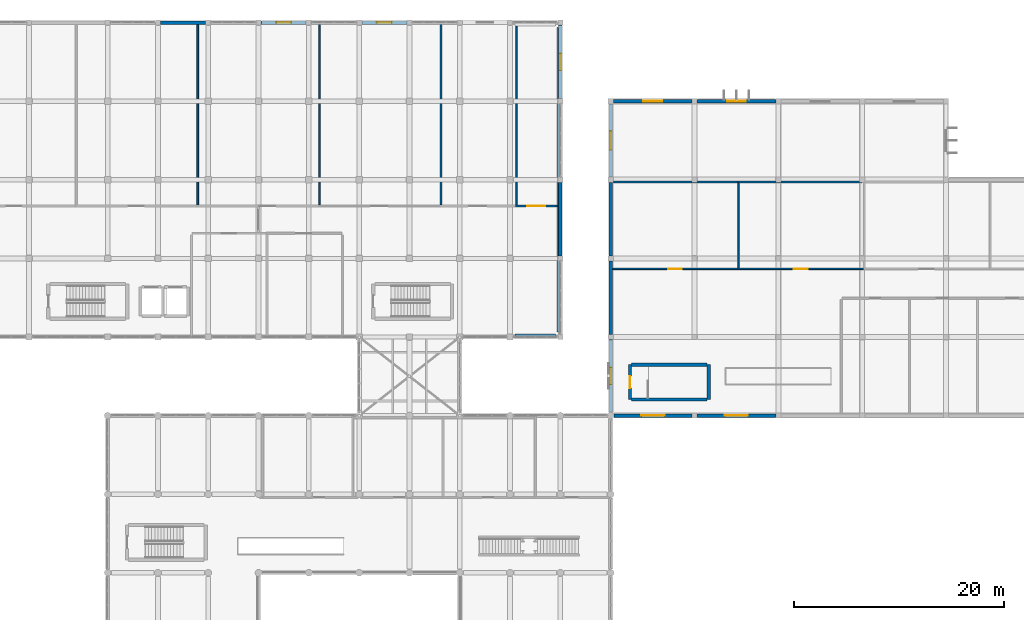
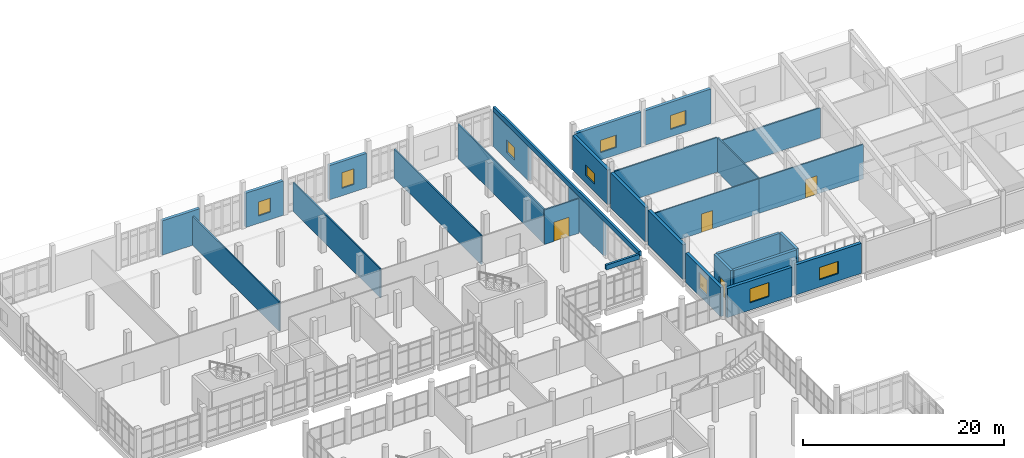
# One storey, part 146 of 164: 29 walls, 9 windows, 4 doors, 13 openings.
"""IFC4 building model written with IfcOpenShell, lengths in metres."""

from ifc_helpers import new_model, si_unit, direction, frame, frame_2d, origin, place, context, subcontext, project, spatial, rectangle, extrude, material, layer, layer_set, type_object, element, fill, save


model = new_model("IFC4")

# Units and contexts
model_context = context("Model", 3, precision=1e-05, world=origin(), true_north=direction((0.0, 1.0)))
body_context = subcontext(model_context, "Body", "Model", "MODEL_VIEW")
ifc_project = project(units=[si_unit("LENGTHUNIT", "METRE"), si_unit("AREAUNIT", "SQUARE_METRE"), si_unit("VOLUMEUNIT", "CUBIC_METRE"), si_unit("PLANEANGLEUNIT", "RADIAN"), si_unit("MASSUNIT", "GRAM", prefix="KILO")], contexts=[model_context])

# Site, building, storey
site_placement = place(None, origin())
site = spatial("IfcSite", under=ifc_project, at=site_placement, CompositionType="ELEMENT")
building_placement = place(site_placement, origin())
building = spatial("IfcBuilding", under=site, at=building_placement, Name="Mawjan Specialist Oncology Clinic", CompositionType="ELEMENT")
storey_placement = place(building_placement, frame((0.0, 0.0, 5.0)))
storey = spatial("IfcBuildingStorey", under=building, at=storey_placement, Name="L01", CompositionType="ELEMENT", Elevation=5.0)

# Wall
ifc_material_1 = material(Name="Precast concrete C40/50", Category="concrete")
ifc_layer_1 = layer(ifc_material_1, 0.35009765625, Name="Precast concrete C40/50", Category="concrete")
ifc_layer_set_1 = layer_set([ifc_layer_1], Name="Precast concrete C40/50")
wall_type_1 = type_object("IfcWallType", Name="EW-350", PredefinedType="SOLIDWALL", material=ifc_layer_set_1)
wall_1_placement = place(storey_placement, frame((65.050048828125, 113.300048828125, 0.0), z_axis=(0.0, 0.0, 1.0), x_axis=(1.0, 0.0, 0.0)))
element("IfcWall", 1, at=wall_1_placement, inside=storey, type_object=wall_type_1, Name="L01 Coral-Limestone Exterior Wall EW-L01-085", PredefinedType="SOLIDWALL", context=body_context, shape_type="SweptSolid", body=[
    extrude(rectangle(XDim=4.300048828125, YDim=0.35009765625, at=frame_2d((2.14990234375, 0.0))), origin(), (0.0, 0.0, 1.0), 4.169921875),
])

# Wall, opening, window
wall_2_placement = place(storey_placement, frame((74.64990234375, 113.300048828125, 0.0), z_axis=(0.0, 0.0, 1.0), x_axis=(1.0, 0.0, 0.0)))
wall_2 = element("IfcWall", 2, at=wall_2_placement, inside=storey, type_object=wall_type_1, Name="L01 Coral-Limestone Exterior Wall EW-L01-086", PredefinedType="SOLIDWALL", context=body_context, shape_type="SweptSolid", body=[
    extrude(rectangle(XDim=4.300048828125, YDim=0.35009765625, at=frame_2d((2.14990234375, 0.0))), origin(), (0.0, 0.0, 1.0), 4.169921875),
])
opening_1_placement = place(wall_2_placement, frame((1.449951171875, 0.0, 0.89990234375)))
opening_1 = element("IfcOpeningElement", 3, at=opening_1_placement, cuts=wall_2, Name="Opening WN-15", PredefinedType="OPENING", context=body_context, shape_type="SweptSolid", body=[
    extrude(rectangle(XDim=1.39990234375, YDim=1.699951171875, at=frame_2d((0.699951171875, 0.85009765625))), frame((0.0, 0.18701171875, 0.0), z_axis=(0.0, -1.0, 0.0), x_axis=(1.0, 0.0, 0.0)), (0.0, 0.0, 1.0), 0.3740234375),
])
ifc_material_2 = material(Name="Thermally broken low-E clinical aluminium window", Category="aluminium")
window_type_1 = type_object("IfcWindowType", Name="WN-15", PartitioningType="SINGLE_PANEL", PredefinedType="WINDOW", material=ifc_material_2)
window_1_placement = place(opening_1_placement, origin())
window_1 = element("IfcWindow", 4, at=window_1_placement, inside=storey, type_object=window_type_1, Name="L01 Clinical Low-E Window 015", OverallHeight=1.699951171875, OverallWidth=1.39990234375, PartitioningType="SINGLE_PANEL", PredefinedType="WINDOW", context=body_context, shape_type="SweptSolid", body=[
    extrude(rectangle(XDim=1.39990234375, YDim=1.699951171875, at=frame_2d((0.699951171875, 0.85009765625))), frame((0.0, 0.030029296875, 0.0), z_axis=(0.0, -1.0, 0.0), x_axis=(1.0, 0.0, 0.0)), (0.0, 0.0, 1.0), 0.06005859375),
])
fill(opening_1, window_1)

wall_3_placement = place(storey_placement, frame((84.25, 113.300048828125, 0.0), z_axis=(0.0, 0.0, 1.0), x_axis=(1.0, 0.0, 0.0)))
wall_3 = element("IfcWall", 5, at=wall_3_placement, inside=storey, type_object=wall_type_1, Name="L01 Coral-Limestone Exterior Wall EW-L01-087", PredefinedType="SOLIDWALL", context=body_context, shape_type="SweptSolid", body=[
    extrude(rectangle(XDim=4.300048828125, YDim=0.35009765625, at=frame_2d((2.14990234375, 0.0))), origin(), (0.0, 0.0, 1.0), 4.169921875),
])
opening_2_placement = place(wall_3_placement, frame((1.449951171875, 0.0, 0.89990234375)))
opening_2 = element("IfcOpeningElement", 6, at=opening_2_placement, cuts=wall_3, Name="Opening WN-16", PredefinedType="OPENING", context=body_context, shape_type="SweptSolid", body=[
    extrude(rectangle(XDim=1.39990234375, YDim=1.89990234375, at=frame_2d((0.699951171875, 0.949951171875))), frame((0.0, 0.18701171875, 0.0), z_axis=(0.0, -1.0, 0.0), x_axis=(1.0, 0.0, 0.0)), (0.0, 0.0, 1.0), 0.3740234375),
])
ifc_material_3 = material(Name="Thermally broken low-E clinical aluminium window", Category="aluminium")
window_type_2 = type_object("IfcWindowType", Name="WN-16", PartitioningType="SINGLE_PANEL", PredefinedType="WINDOW", material=ifc_material_3)
window_2_placement = place(opening_2_placement, origin())
window_2 = element("IfcWindow", 7, at=window_2_placement, inside=storey, type_object=window_type_2, Name="L01 Clinical Low-E Window 016", OverallHeight=1.89990234375, OverallWidth=1.39990234375, PartitioningType="SINGLE_PANEL", PredefinedType="WINDOW", context=body_context, shape_type="SweptSolid", body=[
    extrude(rectangle(XDim=1.39990234375, YDim=1.89990234375, at=frame_2d((0.699951171875, 0.949951171875))), frame((0.0, 0.030029296875, 0.0), z_axis=(0.0, -1.0, 0.0), x_axis=(1.0, 0.0, 0.0)), (0.0, 0.0, 1.0), 0.06005859375),
])
fill(opening_2, window_2)

wall_4_placement = place(storey_placement, frame((103.199951171875, 113.050048828125, 0.0), z_axis=(0.0, 0.0, 1.0), x_axis=(0.0, -1.0, 0.0)))
wall_4 = element("IfcWall", 8, at=wall_4_placement, inside=storey, type_object=wall_type_1, Name="L01 Coral-Limestone Exterior Wall EW-L01-089", PredefinedType="SOLIDWALL", context=body_context, shape_type="SweptSolid", body=[
    extrude(rectangle(XDim=7.0, YDim=0.35009765625, at=frame_2d((3.5, 0.0))), origin(), (0.0, 0.0, 1.0), 4.199951171875),
])
opening_3_placement = place(wall_4_placement, frame((2.699951171875, 0.0, 0.89990234375)))
opening_3 = element("IfcOpeningElement", 9, at=opening_3_placement, cuts=wall_4, Name="Opening WN-18", PredefinedType="OPENING", context=body_context, shape_type="SweptSolid", body=[
    extrude(rectangle(XDim=1.60009765625, YDim=1.5, at=frame_2d((0.800048828125, 0.75))), frame((0.0, 0.18701171875, 0.0), z_axis=(0.0, -1.0, 0.0), x_axis=(1.0, 0.0, 0.0)), (0.0, 0.0, 1.0), 0.3740234375),
])
ifc_material_4 = material(Name="Thermally broken low-E clinical aluminium window", Category="aluminium")
window_type_3 = type_object("IfcWindowType", Name="WN-18", PartitioningType="DOUBLE_PANEL_VERTICAL", PredefinedType="WINDOW", material=ifc_material_4)
window_3_placement = place(opening_3_placement, origin())
window_3 = element("IfcWindow", 10, at=window_3_placement, inside=storey, type_object=window_type_3, Name="L01 Clinical Low-E Window 018", OverallHeight=1.5, OverallWidth=1.60009765625, PartitioningType="DOUBLE_PANEL_VERTICAL", PredefinedType="WINDOW", context=body_context, shape_type="SweptSolid", body=[
    extrude(rectangle(XDim=1.60009765625, YDim=1.5, at=frame_2d((0.800048828125, 0.75))), frame((0.0, 0.030029296875, 0.0), z_axis=(0.0, -1.0, 0.0), x_axis=(1.0, 0.0, 0.0)), (0.0, 0.0, 1.0), 0.06005859375),
])
fill(opening_3, window_3)

# Wall
wall_5_placement = place(storey_placement, frame((103.199951171875, 98.050048828125, 0.0), z_axis=(0.0, 0.0, 1.0), x_axis=(0.0, -1.0, 0.0)))
element("IfcWall", 11, at=wall_5_placement, inside=storey, type_object=wall_type_1, Name="L01 Coral-Limestone Exterior Wall EW-L01-090", PredefinedType="SOLIDWALL", context=body_context, shape_type="SweptSolid", body=[
    extrude(rectangle(XDim=7.0, YDim=0.35009765625, at=frame_2d((3.5, 0.0))), origin(), (0.0, 0.0, 1.0), 4.199951171875),
])

# Wall, opening, window
wall_6_placement = place(storey_placement, frame((108.0, 76.125, 0.0), z_axis=(0.0, 0.0, 1.0), x_axis=(0.0, 1.0, 0.0)))
wall_6 = element("IfcWall", 12, at=wall_6_placement, inside=storey, type_object=wall_type_1, Name="L01 Coral-Limestone Exterior Wall EW-L01-130", PredefinedType="SOLIDWALL", context=body_context, shape_type="SweptSolid", body=[
    extrude(rectangle(XDim=6.925048828125, YDim=0.35009765625, at=frame_2d((3.46240234375, 0.0))), origin(), (0.0, 0.0, 1.0), 3.534912109375),
])
opening_4_placement = place(wall_6_placement, frame((2.66259765625, 0.0, 0.89990234375)))
opening_4 = element("IfcOpeningElement", 13, at=opening_4_placement, cuts=wall_6, Name="Opening WN-20", PredefinedType="OPENING", context=body_context, shape_type="SweptSolid", body=[
    extrude(rectangle(XDim=1.60009765625, YDim=1.89990234375, at=frame_2d((0.800048828125, 0.949951171875))), frame((0.0, 0.18701171875, 0.0), z_axis=(0.0, -1.0, 0.0), x_axis=(1.0, 0.0, 0.0)), (0.0, 0.0, 1.0), 0.3740234375),
])
ifc_material_5 = material(Name="Thermally broken low-E clinical aluminium window", Category="aluminium")
window_type_4 = type_object("IfcWindowType", Name="WN-20", PartitioningType="DOUBLE_PANEL_VERTICAL", PredefinedType="WINDOW", material=ifc_material_5)
window_4_placement = place(opening_4_placement, origin())
window_4 = element("IfcWindow", 14, at=window_4_placement, inside=storey, type_object=window_type_4, Name="L01 Clinical Low-E Window 020", OverallHeight=1.89990234375, OverallWidth=1.60009765625, PartitioningType="DOUBLE_PANEL_VERTICAL", PredefinedType="WINDOW", context=body_context, shape_type="SweptSolid", body=[
    extrude(rectangle(XDim=1.60009765625, YDim=1.89990234375, at=frame_2d((0.800048828125, 0.949951171875))), frame((0.0, 0.030029296875, 0.0), z_axis=(0.0, -1.0, 0.0), x_axis=(1.0, 0.0, 0.0)), (0.0, 0.0, 1.0), 0.06005859375),
])
fill(opening_4, window_4)

# Walls
for number, where, z_axis, x_axis, name in (
    (15, (108.0, 83.550048828125, 0.0), (0.0, 0.0, 1.0), (0.0, 1.0, 0.0), "L01 Coral-Limestone Exterior Wall EW-L01-131"),
    (16, (108.0, 91.050048828125, 0.0), (0.0, 0.0, 1.0), (0.0, 1.0, 0.0), "L01 Coral-Limestone Exterior Wall EW-L01-132"),
):
    element("IfcWall", number, at=place(storey_placement, frame(where, z_axis=z_axis, x_axis=x_axis)), inside=storey, type_object=wall_type_1, Name=name, PredefinedType="SOLIDWALL", context=body_context, shape_type="SweptSolid", body=[
        extrude(rectangle(XDim=7.0, YDim=0.35009765625, at=frame_2d((3.5, 0.0))), origin(), (0.0, 0.0, 1.0), 4.199951171875),
    ])

# Wall, opening, window
wall_7_placement = place(storey_placement, frame((108.0, 98.550048828125, 0.0), z_axis=(0.0, 0.0, 1.0), x_axis=(0.0, 1.0, 0.0)))
wall_7 = element("IfcWall", 17, at=wall_7_placement, inside=storey, type_object=wall_type_1, Name="L01 Coral-Limestone Exterior Wall EW-L01-133", PredefinedType="SOLIDWALL", context=body_context, shape_type="SweptSolid", body=[
    extrude(rectangle(XDim=7.0, YDim=0.35009765625, at=frame_2d((3.5, 0.0))), origin(), (0.0, 0.0, 1.0), 4.199951171875),
])
opening_5_placement = place(wall_7_placement, frame((2.60009765625, 0.0, 0.89990234375)))
opening_5 = element("IfcOpeningElement", 18, at=opening_5_placement, cuts=wall_7, Name="Opening WN-21", PredefinedType="OPENING", context=body_context, shape_type="SweptSolid", body=[
    extrude(rectangle(XDim=1.800048828125, YDim=1.300048828125, at=frame_2d((0.89990234375, 0.64990234375))), frame((0.0, 0.18701171875, 0.0), z_axis=(0.0, -1.0, 0.0), x_axis=(1.0, 0.0, 0.0)), (0.0, 0.0, 1.0), 0.3740234375),
])
ifc_material_6 = material(Name="Thermally broken low-E clinical aluminium window", Category="aluminium")
window_type_5 = type_object("IfcWindowType", Name="WN-21", PartitioningType="DOUBLE_PANEL_VERTICAL", PredefinedType="WINDOW", material=ifc_material_6)
window_5_placement = place(opening_5_placement, origin())
window_5 = element("IfcWindow", 19, at=window_5_placement, inside=storey, type_object=window_type_5, Name="L01 Clinical Low-E Window 021", OverallHeight=1.300048828125, OverallWidth=1.800048828125, PartitioningType="DOUBLE_PANEL_VERTICAL", PredefinedType="WINDOW", context=body_context, shape_type="SweptSolid", body=[
    extrude(rectangle(XDim=1.800048828125, YDim=1.300048828125, at=frame_2d((0.89990234375, 0.64990234375))), frame((0.0, 0.030029296875, 0.0), z_axis=(0.0, -1.0, 0.0), x_axis=(1.0, 0.0, 0.0)), (0.0, 0.0, 1.0), 0.06005859375),
])
fill(opening_5, window_5)

wall_8_placement = place(storey_placement, frame((108.25, 105.800048828125, 0.0), z_axis=(0.0, 0.0, 1.0), x_axis=(1.0, 0.0, 0.0)))
wall_8 = element("IfcWall", 20, at=wall_8_placement, inside=storey, type_object=wall_type_1, Name="L01 Coral-Limestone Exterior Wall EW-L01-134", PredefinedType="SOLIDWALL", context=body_context, shape_type="SweptSolid", body=[
    extrude(rectangle(XDim=7.5, YDim=0.35009765625, at=frame_2d((3.75, 0.0))), origin(), (0.0, 0.0, 1.0), 4.199951171875),
])
opening_6_placement = place(wall_8_placement, frame((2.85009765625, 0.0, 0.89990234375)))
opening_6 = element("IfcOpeningElement", 21, at=opening_6_placement, cuts=wall_8, Name="Opening WN-22", PredefinedType="OPENING", context=body_context, shape_type="SweptSolid", body=[
    extrude(rectangle(XDim=1.800048828125, YDim=1.5, at=frame_2d((0.89990234375, 0.75))), frame((0.0, 0.18701171875, 0.0), z_axis=(0.0, -1.0, 0.0), x_axis=(1.0, 0.0, 0.0)), (0.0, 0.0, 1.0), 0.3740234375),
])
ifc_material_7 = material(Name="Thermally broken low-E clinical aluminium window", Category="aluminium")
window_type_6 = type_object("IfcWindowType", Name="WN-22", PartitioningType="DOUBLE_PANEL_VERTICAL", PredefinedType="WINDOW", material=ifc_material_7)
window_6_placement = place(opening_6_placement, origin())
window_6 = element("IfcWindow", 22, at=window_6_placement, inside=storey, type_object=window_type_6, Name="L01 Clinical Low-E Window 022", OverallHeight=1.5, OverallWidth=1.800048828125, PartitioningType="DOUBLE_PANEL_VERTICAL", PredefinedType="WINDOW", context=body_context, shape_type="SweptSolid", body=[
    extrude(rectangle(XDim=1.800048828125, YDim=1.5, at=frame_2d((0.89990234375, 0.75))), frame((0.0, 0.030029296875, 0.0), z_axis=(0.0, -1.0, 0.0), x_axis=(1.0, 0.0, 0.0)), (0.0, 0.0, 1.0), 0.06005859375),
])
fill(opening_6, window_6)

wall_9_placement = place(storey_placement, frame((116.25, 105.800048828125, 0.0), z_axis=(0.0, 0.0, 1.0), x_axis=(1.0, 0.0, 0.0)))
wall_9 = element("IfcWall", 23, at=wall_9_placement, inside=storey, type_object=wall_type_1, Name="L01 Coral-Limestone Exterior Wall EW-L01-135", PredefinedType="SOLIDWALL", context=body_context, shape_type="SweptSolid", body=[
    extrude(rectangle(XDim=7.5, YDim=0.35009765625, at=frame_2d((3.75, 0.0))), origin(), (0.0, 0.0, 1.0), 4.199951171875),
])
opening_7_placement = place(wall_9_placement, frame((2.85009765625, 0.0, 0.89990234375)))
opening_7 = element("IfcOpeningElement", 24, at=opening_7_placement, cuts=wall_9, Name="Opening WN-23", PredefinedType="OPENING", context=body_context, shape_type="SweptSolid", body=[
    extrude(rectangle(XDim=1.800048828125, YDim=1.699951171875, at=frame_2d((0.89990234375, 0.85009765625))), frame((0.0, 0.18701171875, 0.0), z_axis=(0.0, -1.0, 0.0), x_axis=(1.0, 0.0, 0.0)), (0.0, 0.0, 1.0), 0.3740234375),
])
ifc_material_8 = material(Name="Thermally broken low-E clinical aluminium window", Category="aluminium")
window_type_7 = type_object("IfcWindowType", Name="WN-23", PartitioningType="DOUBLE_PANEL_VERTICAL", PredefinedType="WINDOW", material=ifc_material_8)
window_7_placement = place(opening_7_placement, origin())
window_7 = element("IfcWindow", 25, at=window_7_placement, inside=storey, type_object=window_type_7, Name="L01 Clinical Low-E Window 023", OverallHeight=1.699951171875, OverallWidth=1.800048828125, PartitioningType="DOUBLE_PANEL_VERTICAL", PredefinedType="WINDOW", context=body_context, shape_type="SweptSolid", body=[
    extrude(rectangle(XDim=1.800048828125, YDim=1.699951171875, at=frame_2d((0.89990234375, 0.85009765625))), frame((0.0, 0.030029296875, 0.0), z_axis=(0.0, -1.0, 0.0), x_axis=(1.0, 0.0, 0.0)), (0.0, 0.0, 1.0), 0.06005859375),
])
fill(opening_7, window_7)

wall_10_placement = place(storey_placement, frame((123.75, 75.800048828125, 0.0), z_axis=(0.0, 0.0, 1.0), x_axis=(-1.0, 0.0, 0.0)))
wall_10 = element("IfcWall", 26, at=wall_10_placement, inside=storey, type_object=wall_type_1, Name="L01 Coral-Limestone Exterior Wall EW-L01-148", PredefinedType="SOLIDWALL", context=body_context, shape_type="SweptSolid", body=[
    extrude(rectangle(XDim=7.5, YDim=0.35009765625, at=frame_2d((3.75, 0.0))), origin(), (0.0, 0.0, 1.0), 3.655029296875),
])
opening_8_placement = place(wall_10_placement, frame((2.64990234375, 0.0, 0.89990234375)))
opening_8 = element("IfcOpeningElement", 27, at=opening_8_placement, cuts=wall_10, Name="Opening WN-30", PredefinedType="OPENING", context=body_context, shape_type="SweptSolid", body=[
    extrude(rectangle(XDim=2.199951171875, YDim=1.5, at=frame_2d((1.10009765625, 0.75))), frame((0.0, 0.18701171875, 0.0), z_axis=(0.0, -1.0, 0.0), x_axis=(1.0, 0.0, 0.0)), (0.0, 0.0, 1.0), 0.3740234375),
])
ifc_material_9 = material(Name="Thermally broken low-E clinical aluminium window", Category="aluminium")
window_type_8 = type_object("IfcWindowType", Name="WN-30", PartitioningType="DOUBLE_PANEL_VERTICAL", PredefinedType="WINDOW", material=ifc_material_9)
window_8_placement = place(opening_8_placement, origin())
window_8 = element("IfcWindow", 28, at=window_8_placement, inside=storey, type_object=window_type_8, Name="L01 Clinical Low-E Window 030", OverallHeight=1.5, OverallWidth=2.199951171875, PartitioningType="DOUBLE_PANEL_VERTICAL", PredefinedType="WINDOW", context=body_context, shape_type="SweptSolid", body=[
    extrude(rectangle(XDim=2.199951171875, YDim=1.5, at=frame_2d((1.10009765625, 0.75))), frame((0.0, 0.030029296875, 0.0), z_axis=(0.0, -1.0, 0.0), x_axis=(1.0, 0.0, 0.0)), (0.0, 0.0, 1.0), 0.06005859375),
])
fill(opening_8, window_8)

wall_11_placement = place(storey_placement, frame((115.75, 75.800048828125, 0.0), z_axis=(0.0, 0.0, 1.0), x_axis=(-1.0, 0.0, 0.0)))
wall_11 = element("IfcWall", 29, at=wall_11_placement, inside=storey, type_object=wall_type_1, Name="L01 Coral-Limestone Exterior Wall EW-L01-149", PredefinedType="SOLIDWALL", context=body_context, shape_type="SweptSolid", body=[
    extrude(rectangle(XDim=7.425048828125, YDim=0.35009765625, at=frame_2d((3.71240234375, 0.0))), origin(), (0.0, 0.0, 1.0), 3.534912109375),
])
opening_9_placement = place(wall_11_placement, frame((2.612548828125, 0.0, 0.89990234375)))
opening_9 = element("IfcOpeningElement", 30, at=opening_9_placement, cuts=wall_11, Name="Opening WN-31", PredefinedType="OPENING", context=body_context, shape_type="SweptSolid", body=[
    extrude(rectangle(XDim=2.199951171875, YDim=1.699951171875, at=frame_2d((1.10009765625, 0.85009765625))), frame((0.0, 0.18701171875, 0.0), z_axis=(0.0, -1.0, 0.0), x_axis=(1.0, 0.0, 0.0)), (0.0, 0.0, 1.0), 0.3740234375),
])
ifc_material_10 = material(Name="Thermally broken low-E clinical aluminium window", Category="aluminium")
window_type_9 = type_object("IfcWindowType", Name="WN-31", PartitioningType="DOUBLE_PANEL_VERTICAL", PredefinedType="WINDOW", material=ifc_material_10)
window_9_placement = place(opening_9_placement, origin())
window_9 = element("IfcWindow", 31, at=window_9_placement, inside=storey, type_object=window_type_9, Name="L01 Clinical Low-E Window 031", OverallHeight=1.699951171875, OverallWidth=2.199951171875, PartitioningType="DOUBLE_PANEL_VERTICAL", PredefinedType="WINDOW", context=body_context, shape_type="SweptSolid", body=[
    extrude(rectangle(XDim=2.199951171875, YDim=1.699951171875, at=frame_2d((1.10009765625, 0.85009765625))), frame((0.0, 0.030029296875, 0.0), z_axis=(0.0, -1.0, 0.0), x_axis=(1.0, 0.0, 0.0)), (0.0, 0.0, 1.0), 0.06005859375),
])
fill(opening_9, window_9)

# Walls
ifc_material_11 = material(Name="Precast concrete C40/50", Category="concrete")
ifc_layer_2 = layer(ifc_material_11, 0.239990234375, Name="Precast concrete C40/50", Category="concrete")
ifc_layer_set_2 = layer_set([ifc_layer_2], Name="Precast concrete C40/50")
wall_type_2 = type_object("IfcWallType", Name="PAR-240", PredefinedType="PARAPET", material=ifc_layer_set_2)
wall_12_placement = place(storey_placement, frame((102.719970703125, 83.47998046875, 4.39990234375), z_axis=(0.0, 0.0, 1.0), x_axis=(-1.0, 0.0, 0.0)))
element("IfcWall", 32, at=wall_12_placement, inside=storey, type_object=wall_type_2, Name="L01 Roof Parapet Upstand 16", PredefinedType="PARAPET", context=body_context, shape_type="SweptSolid", body=[
    extrude(rectangle(XDim=3.840087890625, YDim=0.239990234375, at=frame_2d((1.919921875, 0.0))), origin(), (0.0, 0.0, 1.0), 0.60009765625),
])
ifc_material_12 = material(Name="Precast concrete C40/50", Category="concrete")
ifc_layer_3 = layer(ifc_material_12, 0.260009765625, Name="Precast concrete C40/50", Category="concrete")
ifc_layer_set_3 = layer_set([ifc_layer_3], Name="Precast concrete C40/50")
wall_type_3 = type_object("IfcWallType", Name="PAR-260", PredefinedType="PARAPET", material=ifc_layer_set_3)
wall_13_placement = place(storey_placement, frame((103.02001953125, 112.820068359375, 4.39990234375), z_axis=(0.0, 0.0, 1.0), x_axis=(0.0, -1.0, 0.0)))
element("IfcWall", 33, at=wall_13_placement, inside=storey, type_object=wall_type_3, Name="L01 Roof Parapet Upstand 15", PredefinedType="PARAPET", context=body_context, shape_type="SweptSolid", body=[
    extrude(rectangle(XDim=29.0400390625, YDim=0.260009765625, at=frame_2d((14.52001953125, 0.0))), origin(), (0.0, 0.0, 1.0), 0.60009765625),
])
ifc_material_13 = material(Name="Concrete C45/55", Category="concrete")
ifc_layer_4 = layer(ifc_material_13, 0.320068359375, Name="Concrete C45/55", Category="concrete")
ifc_layer_set_4 = layer_set([ifc_layer_4], Name="Concrete C45/55")
wall_type_4 = type_object("IfcWallType", Name="SW-350", PredefinedType="SHEAR", material=ifc_layer_set_4)
wall_14_placement = place(storey_placement, frame((110.0048828125, 77.340087890625, 0.0), z_axis=(0.0, 0.0, 1.0), x_axis=(1.0, 0.0, 0.0)))
element("IfcWall", 34, at=wall_14_placement, inside=storey, type_object=wall_type_4, Name="L01 Core K8 Stair Shear Wall 1", PredefinedType="SHEAR", context=body_context, shape_type="SweptSolid", body=[
    extrude(rectangle(XDim=7.190185546875, YDim=0.320068359375, at=frame_2d((3.59521484375, 0.0))), origin(), (0.0, 0.0, 1.0), 4.199951171875),
])
wall_15_placement = place(storey_placement, frame((117.360107421875, 77.340087890625, 0.0), z_axis=(0.0, 0.0, 1.0), x_axis=(0.0, 1.0, 0.0)))
element("IfcWall", 35, at=wall_15_placement, inside=storey, type_object=wall_type_4, Name="L01 Core K8 Stair Shear Wall 2", PredefinedType="SHEAR", context=body_context, shape_type="SweptSolid", body=[
    extrude(rectangle(XDim=3.31982421875, YDim=0.320068359375, at=frame_2d((1.659912109375, 0.0))), origin(), (0.0, 0.0, 1.0), 4.199951171875),
])
wall_16_placement = place(storey_placement, frame((117.195068359375, 80.659912109375, 0.0), z_axis=(0.0, 0.0, 1.0), x_axis=(-1.0, 0.0, 0.0)))
element("IfcWall", 36, at=wall_16_placement, inside=storey, type_object=wall_type_4, Name="L01 Core K8 Stair Shear Wall 3", PredefinedType="SHEAR", context=body_context, shape_type="SweptSolid", body=[
    extrude(rectangle(XDim=7.190185546875, YDim=0.320068359375, at=frame_2d((3.59521484375, 0.0))), origin(), (0.0, 0.0, 1.0), 4.199951171875),
])

# Wall, opening, door
wall_17_placement = place(storey_placement, frame((109.840087890625, 80.659912109375, 0.0), z_axis=(0.0, 0.0, 1.0), x_axis=(0.0, -1.0, 0.0)))
wall_17 = element("IfcWall", 37, at=wall_17_placement, inside=storey, type_object=wall_type_4, Name="L01 Core K8 Stair Shear Wall 4", PredefinedType="SHEAR", context=body_context, shape_type="SweptSolid", body=[
    extrude(rectangle(XDim=3.31982421875, YDim=0.320068359375, at=frame_2d((1.659912109375, 0.0))), origin(), (0.0, 0.0, 1.0), 4.199951171875),
])
opening_10_placement = place(wall_17_placement, frame((1.0849609375, 0.0, 0.0)))
opening_10 = element("IfcOpeningElement", 38, at=opening_10_placement, cuts=wall_17, Name="Opening FD-90", PredefinedType="OPENING", context=body_context, shape_type="SweptSolid", body=[
    extrude(rectangle(XDim=1.14990234375, YDim=2.14990234375, at=frame_2d((0.574951171875, 1.074951171875))), frame((0.0, 0.172119140625, 0.0), z_axis=(0.0, -1.0, 0.0), x_axis=(1.0, 0.0, 0.0)), (0.0, 0.0, 1.0), 0.343994140625),
])
ifc_material_14 = material(Name="Stainless-steel fire-rated hospital door", Category="steel")
door_type_1 = type_object("IfcDoorType", Name="FD-90", OperationType="NOTDEFINED", PredefinedType="DOOR", material=ifc_material_14)
door_1_placement = place(opening_10_placement, origin())
door_1 = element("IfcDoor", 39, at=door_1_placement, inside=storey, type_object=door_type_1, Name="L01 ST-08 Fire Exit Stair Door", OperationType="SINGLE_SWING_RIGHT", OverallHeight=2.14990234375, OverallWidth=1.14990234375, PredefinedType="DOOR", context=body_context, shape_type="SweptSolid", body=[
    extrude(rectangle(XDim=1.14990234375, YDim=2.14990234375, at=frame_2d((0.574951171875, 1.074951171875))), frame((0.0, 0.02490234375, 0.0), z_axis=(0.0, -1.0, 0.0), x_axis=(1.0, 0.0, 0.0)), (0.0, 0.0, 1.0), 0.050048828125),
])
fill(opening_10, door_1)

ifc_material_15 = material(Name="Moisture-resistant washroom partition", Category="gypsum")
ifc_layer_5 = layer(ifc_material_15, 0.125, Name="Moisture-resistant washroom partition", Category="gypsum")
ifc_layer_set_5 = layer_set([ifc_layer_5], Name="Moisture-resistant washroom partition")
wall_type_5 = type_object("IfcWallType", Name="WP-125", PredefinedType="PARTITIONING", material=ifc_layer_set_5)
wall_18_placement = place(storey_placement, frame((108.18701171875, 89.800048828125, 0.0), z_axis=(0.0, 0.0, 1.0), x_axis=(1.0, 0.0, 0.0)))
wall_18 = element("IfcWall", 40, at=wall_18_placement, inside=storey, type_object=wall_type_5, Name="L01 Interior Partition W-INT-L01-I15-C", PredefinedType="PARTITIONING", context=body_context, shape_type="SweptSolid", body=[
    extrude(rectangle(XDim=11.927978515625, YDim=0.125, at=frame_2d((5.9638671875, 0.0))), origin(), (0.0, 0.0, 1.0), 4.199951171875),
])
opening_11_placement = place(wall_18_placement, frame((5.323974609375, 0.0, 0.0)))
opening_11 = element("IfcOpeningElement", 41, at=opening_11_placement, cuts=wall_18, Name="Opening DC-128", PredefinedType="OPENING", context=body_context, shape_type="SweptSolid", body=[
    extrude(rectangle(XDim=1.280029296875, YDim=2.219970703125, at=frame_2d((0.64013671875, 1.10986328125))), frame((0.0, 0.074462890625, 0.0), z_axis=(0.0, -1.0, 0.0), x_axis=(1.0, 0.0, 0.0)), (0.0, 0.0, 1.0), 0.14892578125),
])
ifc_material_16 = material(Name="Acoustic laminate hospital door leaf", Category="wood")
door_type_2 = type_object("IfcDoorType", Name="DC-128", OperationType="NOTDEFINED", PredefinedType="DOOR", material=ifc_material_16)
door_2_placement = place(opening_11_placement, origin())
door_2 = element("IfcDoor", 42, at=door_2_placement, inside=storey, type_object=door_type_2, Name="L01 Radiology PACS Reading Room Door", OperationType="SINGLE_SWING_LEFT", OverallHeight=2.219970703125, OverallWidth=1.280029296875, PredefinedType="DOOR", context=body_context, shape_type="SweptSolid", body=[
    extrude(rectangle(XDim=1.280029296875, YDim=2.219970703125, at=frame_2d((0.64013671875, 1.10986328125))), frame((0.0, 0.02490234375, 0.0), z_axis=(0.0, -1.0, 0.0), x_axis=(1.0, 0.0, 0.0)), (0.0, 0.0, 1.0), 0.050048828125),
])
fill(opening_11, door_2)

ifc_material_17 = material(Name="Acoustic gypsum clinical partition", Category="gypsum")
ifc_layer_6 = layer(ifc_material_17, 0.14990234375, Name="Acoustic gypsum clinical partition", Category="gypsum")
ifc_layer_set_6 = layer_set([ifc_layer_6], Name="Acoustic gypsum clinical partition")
wall_type_6 = type_object("IfcWallType", Name="WP-150", PredefinedType="PARTITIONING", material=ifc_layer_set_6)
wall_19_placement = place(storey_placement, frame((120.126953125, 89.800048828125, 0.0), z_axis=(0.0, 0.0, 1.0), x_axis=(1.0, 0.0, 0.0)))
wall_19 = element("IfcWall", 43, at=wall_19_placement, inside=storey, type_object=wall_type_6, Name="L01 Interior Partition W-INT-L01-I16-C", PredefinedType="PARTITIONING", context=body_context, shape_type="SweptSolid", body=[
    extrude(rectangle(XDim=11.988037109375, YDim=0.14990234375, at=frame_2d((5.994140625, 0.0))), origin(), (0.0, 0.0, 1.0), 4.199951171875),
])
opening_12_placement = place(wall_19_placement, frame((5.323974609375, 0.0, 0.0)))
opening_12 = element("IfcOpeningElement", 44, at=opening_12_placement, cuts=wall_19, Name="Opening DC-134", PredefinedType="OPENING", context=body_context, shape_type="SweptSolid", body=[
    extrude(rectangle(XDim=1.340087890625, YDim=2.239990234375, at=frame_2d((0.669921875, 1.1201171875))), frame((0.0, 0.0869140625, 0.0), z_axis=(0.0, -1.0, 0.0), x_axis=(1.0, 0.0, 0.0)), (0.0, 0.0, 1.0), 0.173828125),
])
ifc_material_18 = material(Name="Acoustic laminate hospital door leaf", Category="wood")
door_type_3 = type_object("IfcDoorType", Name="DC-134", OperationType="NOTDEFINED", PredefinedType="DOOR", material=ifc_material_18)
door_3_placement = place(opening_12_placement, origin())
door_3 = element("IfcDoor", 45, at=door_3_placement, inside=storey, type_object=door_type_3, Name="L01 Bone Densitometry DEXA Room Door", OperationType="SINGLE_SWING_RIGHT", OverallHeight=2.239990234375, OverallWidth=1.340087890625, PredefinedType="DOOR", context=body_context, shape_type="SweptSolid", body=[
    extrude(rectangle(XDim=1.340087890625, YDim=2.239990234375, at=frame_2d((0.669921875, 1.1201171875))), frame((0.0, 0.02490234375, 0.0), z_axis=(0.0, -1.0, 0.0), x_axis=(1.0, 0.0, 0.0)), (0.0, 0.0, 1.0), 0.050048828125),
])
fill(opening_12, door_3)

# Walls
wall_20_placement = place(storey_placement, frame((68.60009765625, 95.89208984375, 0.0), z_axis=(0.0, 0.0, 1.0), x_axis=(0.0, 1.0, 0.0)))
element("IfcWall", 46, at=wall_20_placement, inside=storey, type_object=wall_type_6, Name="L01 Interior Partition W-INT-L01-P12-D", PredefinedType="PARTITIONING", context=body_context, shape_type="SweptSolid", body=[
    extrude(rectangle(XDim=17.220947265625, YDim=0.14990234375, at=frame_2d((8.6103515625, 0.0))), origin(), (0.0, 0.0, 1.0), 3.534912109375),
])
wall_21_placement = place(storey_placement, frame((80.199951171875, 95.87451171875, 0.0), z_axis=(0.0, 0.0, 1.0), x_axis=(0.0, 1.0, 0.0)))
element("IfcWall", 47, at=wall_21_placement, inside=storey, type_object=wall_type_6, Name="L01 Interior Partition W-INT-L01-P13-D", PredefinedType="PARTITIONING", context=body_context, shape_type="SweptSolid", body=[
    extrude(rectangle(XDim=17.323486328125, YDim=0.14990234375, at=frame_2d((8.66162109375, 0.0))), origin(), (0.0, 0.0, 1.0), 3.534912109375),
])
wall_22_placement = place(storey_placement, frame((99.0, 95.89208984375, 0.0), z_axis=(0.0, 0.0, 1.0), x_axis=(0.0, 1.0, 0.0)))
element("IfcWall", 48, at=wall_22_placement, inside=storey, type_object=wall_type_6, Name="L01 Interior Partition W-INT-L01-P15A-D", PredefinedType="PARTITIONING", context=body_context, shape_type="SweptSolid", body=[
    extrude(rectangle(XDim=17.095947265625, YDim=0.14990234375, at=frame_2d((8.5478515625, 0.0))), origin(), (0.0, 0.0, 1.0), 4.199951171875),
])
wall_23_placement = place(storey_placement, frame((120.199951171875, 89.886962890625, 0.0), z_axis=(0.0, 0.0, 1.0), x_axis=(0.0, 1.0, 0.0)))
element("IfcWall", 49, at=wall_23_placement, inside=storey, type_object=wall_type_6, Name="L01 Interior Partition W-INT-L01-I15-D", PredefinedType="PARTITIONING", context=body_context, shape_type="SweptSolid", body=[
    extrude(rectangle(XDim=8.12109375, YDim=0.14990234375, at=frame_2d((4.060546875, 0.0))), origin(), (0.0, 0.0, 1.0), 4.199951171875),
])

# Wall, opening, door
ifc_material_19 = material(Name="Acoustic clinical twin-stud partition", Category="gypsum")
ifc_layer_7 = layer(ifc_material_19, 0.159912109375, Name="Acoustic clinical twin-stud partition", Category="gypsum")
ifc_layer_set_7 = layer_set([ifc_layer_7], Name="Acoustic clinical twin-stud partition")
wall_type_7 = type_object("IfcWallType", Name="WP-160", PredefinedType="PARTITIONING", material=ifc_layer_set_7)
wall_24_placement = place(storey_placement, frame((98.927001953125, 95.800048828125, 0.0), z_axis=(0.0, 0.0, 1.0), x_axis=(1.0, 0.0, 0.0)))
wall_24 = element("IfcWall", 50, at=wall_24_placement, inside=storey, type_object=wall_type_7, Name="L01 Interior Partition W-INT-L01-P15-C", PredefinedType="PARTITIONING", context=body_context, shape_type="SweptSolid", body=[
    extrude(rectangle(XDim=3.950927734375, YDim=0.159912109375, at=frame_2d((1.9755859375, 0.0))), origin(), (0.0, 0.0, 1.0), 4.199951171875),
])
opening_13_placement = place(wall_24_placement, frame((1.115478515625, 0.0, 0.0)))
opening_13 = element("IfcOpeningElement", 51, at=opening_13_placement, cuts=wall_24, Name="Opening DC-172", PredefinedType="OPENING", context=body_context, shape_type="SweptSolid", body=[
    extrude(rectangle(XDim=1.719970703125, YDim=2.340087890625, at=frame_2d((0.85986328125, 1.169921875))), frame((0.0, 0.092041015625, 0.0), z_axis=(0.0, -1.0, 0.0), x_axis=(1.0, 0.0, 0.0)), (0.0, 0.0, 1.0), 0.183837890625),
])
ifc_material_20 = material(Name="Acoustic laminate hospital door leaf", Category="wood")
door_type_4 = type_object("IfcDoorType", Name="DC-172", OperationType="NOTDEFINED", PredefinedType="DOOR", material=ifc_material_20)
door_4_placement = place(opening_13_placement, origin())
door_4 = element("IfcDoor", 52, at=door_4_placement, inside=storey, type_object=door_type_4, Name="L01 Accessible Recovery Toilet Door", OperationType="SINGLE_SWING_RIGHT", OverallHeight=2.340087890625, OverallWidth=1.719970703125, PredefinedType="DOOR", context=body_context, shape_type="SweptSolid", body=[
    extrude(rectangle(XDim=1.719970703125, YDim=2.340087890625, at=frame_2d((0.85986328125, 1.169921875))), frame((0.0, 0.02490234375, 0.0), z_axis=(0.0, -1.0, 0.0), x_axis=(1.0, 0.0, 0.0)), (0.0, 0.0, 1.0), 0.050048828125),
])
fill(opening_13, door_4)

# Walls
wall_25_placement = place(storey_placement, frame((108.261962890625, 98.10009765625, 0.0), z_axis=(0.0, 0.0, 1.0), x_axis=(1.0, 0.0, 0.0)))
element("IfcWall", 53, at=wall_25_placement, inside=storey, type_object=wall_type_7, Name="L01 Interior Partition W-INT-L01-I15-R", PredefinedType="PARTITIONING", context=body_context, shape_type="SweptSolid", body=[
    extrude(rectangle(XDim=11.85302734375, YDim=0.159912109375, at=frame_2d((5.926513671875, 0.0))), origin(), (0.0, 0.0, 1.0), 4.199951171875),
])
wall_26_placement = place(storey_placement, frame((120.126953125, 98.10009765625, 0.0), z_axis=(0.0, 0.0, 1.0), x_axis=(1.0, 0.0, 0.0)))
element("IfcWall", 54, at=wall_26_placement, inside=storey, type_object=wall_type_7, Name="L01 Interior Partition W-INT-L01-I16-R", PredefinedType="PARTITIONING", context=body_context, shape_type="SweptSolid", body=[
    extrude(rectangle(XDim=11.821044921875, YDim=0.159912109375, at=frame_2d((5.91064453125, 0.0))), origin(), (0.0, 0.0, 1.0), 3.655029296875),
])
wall_27_placement = place(storey_placement, frame((91.800048828125, 95.886962890625, 0.0), z_axis=(0.0, 0.0, 1.0), x_axis=(0.0, 1.0, 0.0)))
element("IfcWall", 55, at=wall_27_placement, inside=storey, type_object=wall_type_7, Name="L01 Interior Partition W-INT-L01-P14-D", PredefinedType="PARTITIONING", context=body_context, shape_type="SweptSolid", body=[
    extrude(rectangle(XDim=17.31103515625, YDim=0.159912109375, at=frame_2d((8.655517578125, 0.0))), origin(), (0.0, 0.0, 1.0), 3.534912109375),
])

save(model, "model.ifc")
